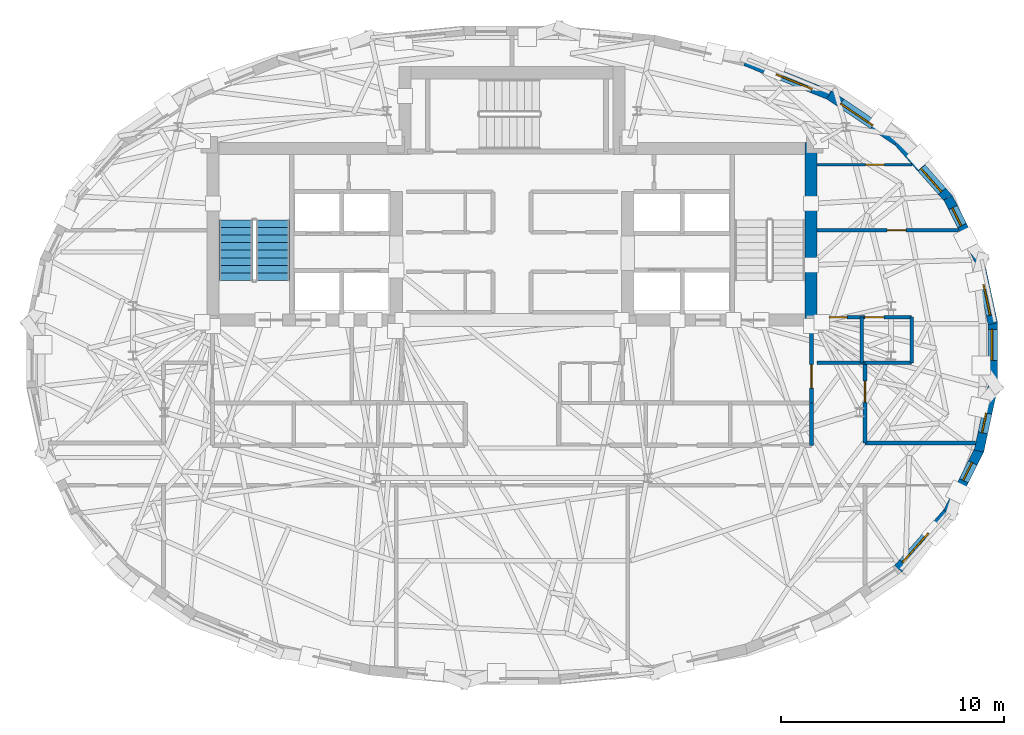
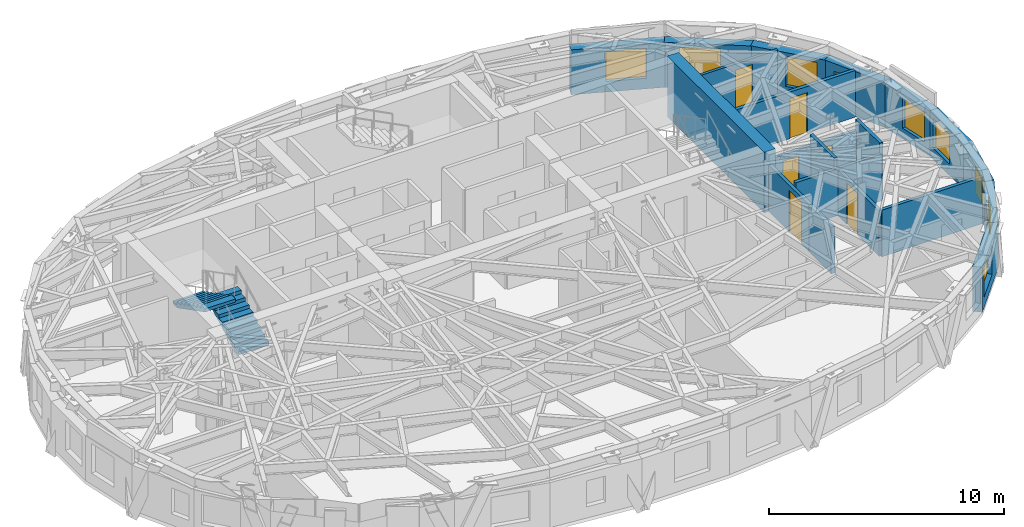
# One storey, part 9 of 13: 21 walls, 9 windows, 6 doors, 2 stair flights, 15 openings, 1 element without a shape of its own.
"""IFC4 building model written with IfcOpenShell, lengths in metres."""

import ifcopenshell
import ifcopenshell.guid

model = None  # the IFC model being written
_history = None  # IfcOwnerHistory: only IFC2X3 demands one
_inside = {}  # id of a spatial element -> (the spatial element, [elements in it])
_under = {}  # id of a project, library or spatial element -> (it, [spatial elements below it])
_declared = {}  # id of a project -> (the project, [libraries it declares])
_typed = {}  # id of a type object -> (the type object, [elements of that type])
_made_of = {}  # id of a material, layer set ... -> (it, [elements and type objects made of it])


def new_model(schema):
    """Start an empty IFC model of exactly this schema.

    Asked for "IFC4X3", IfcOpenShell would pick the latest addendum, in which some entities
    have other attributes; the version numbers below select the first issue.
    IFC2X3 requires an IfcOwnerHistory on every rooted entity: one is made here for all.
    """
    global model, _history
    if schema == "IFC4X3":
        model = ifcopenshell.file(schema_version=(4, 3, 0, 0))
    else:
        model = ifcopenshell.file(schema=schema)
    _inside.clear()
    _under.clear()
    _declared.clear()
    _typed.clear()
    _made_of.clear()
    _history = None
    if model.schema == "IFC2X3":
        org = make("IfcOrganization", Name="unknown")
        user = make(
            "IfcPersonAndOrganization",
            ThePerson=make("IfcPerson", FamilyName="unknown"),
            TheOrganization=org,
        )
        app = make(
            "IfcApplication",
            ApplicationDeveloper=org,
            Version="unknown",
            ApplicationFullName="unknown",
            ApplicationIdentifier="unknown",
        )
        _history = make(
            "IfcOwnerHistory",
            OwningUser=user,
            OwningApplication=app,
            ChangeAction="ADDED",
            CreationDate=0,
        )
    return model


def make(cls, **values):
    """One entity of the class cls with the attributes given. An attribute that is None is left unset."""
    return model.create_entity(
        cls, **{name: value for name, value in values.items() if value is not None}
    )


def rooted(cls, **values):
    """An entity with a GlobalId (a new one), such as an element, a storey or a relation."""
    return make(cls, GlobalId=ifcopenshell.guid.new(), OwnerHistory=_history, **values)


def si_unit(unit_type, name, prefix=None):
    """IfcSIUnit, for example si_unit("LENGTHUNIT", "METRE", prefix="MILLI")."""
    return make("IfcSIUnit", UnitType=unit_type, Prefix=prefix, Name=name)


def assignment(units):
    """IfcUnitAssignment: the units of a project."""
    return None if units is None else make("IfcUnitAssignment", Units=units)


def point(xyz):
    """IfcCartesianPoint."""
    return None if xyz is None else make("IfcCartesianPoint", Coordinates=xyz)


def direction(xyz):
    """IfcDirection."""
    return None if xyz is None else make("IfcDirection", DirectionRatios=xyz)


def frame(location, z_axis=None, x_axis=None):
    """IfcAxis2Placement3D, a coordinate frame: its origin and axes. An axis left out is left unset."""
    return make(
        "IfcAxis2Placement3D",
        Location=point(location),
        Axis=direction(z_axis),
        RefDirection=direction(x_axis),
    )


def frame_2d(location, x_axis=None):
    """IfcAxis2Placement2D, a coordinate frame in the plane: its origin and x axis."""
    return make(
        "IfcAxis2Placement2D", Location=point(location), RefDirection=direction(x_axis)
    )


def origin():
    """The frame at (0, 0, 0) with its axes left unset."""
    return frame((0.0, 0.0, 0.0))


def place(relative_to, where):
    """IfcLocalPlacement: puts the frame where relative to a parent placement (None: the world)."""
    return make(
        "IfcLocalPlacement", PlacementRelTo=relative_to, RelativePlacement=where
    )


def context(
    kind, dimensions, precision=None, world=None, true_north=None, identifier=None
):
    """IfcGeometricRepresentationContext, for example the 3D "Model" context."""
    return make(
        "IfcGeometricRepresentationContext",
        ContextIdentifier=identifier,
        ContextType=kind,
        CoordinateSpaceDimension=dimensions,
        Precision=precision,
        WorldCoordinateSystem=world,
        TrueNorth=true_north,
    )


def subcontext(parent, identifier, kind, view, scale=None):
    """IfcGeometricRepresentationSubContext, for example "Body" below "Model"."""
    return make(
        "IfcGeometricRepresentationSubContext",
        ContextIdentifier=identifier,
        ContextType=kind,
        ParentContext=parent,
        TargetScale=scale,
        TargetView=view,
    )


def project(units=None, contexts=None):
    """IfcProject with its units and contexts."""
    return rooted(
        "IfcProject",
        Name="project",
        RepresentationContexts=contexts,
        UnitsInContext=assignment(units),
    )


def spatial(cls, under=None, at=None, **own):
    """A site, building, storey or space (cls), placed at a placement, below another one or the project."""
    s = rooted(cls, ObjectPlacement=at, **own)
    if under is not None:
        _under.setdefault(under.id(), (under, []))[1].append(s)
    return s


def polyline(points):
    """IfcPolyline through the points."""
    return make("IfcPolyline", Points=[point(p) for p in points])


def profile(cls, at=None, kind="AREA", **sizes):
    """A parametric profile (cls). Its sizes go by their IFC names, for example OverallWidth=200.0."""
    return make(cls, ProfileType=kind, Position=at, **sizes)


def rectangle(**sizes):
    """IfcRectangleProfileDef."""
    return profile("IfcRectangleProfileDef", **sizes)


def outline(outer, holes=None, kind="AREA"):
    """IfcArbitraryClosedProfileDef: a profile drawn as a closed curve; with holes, ...WithVoids."""
    if holes is None:
        return make("IfcArbitraryClosedProfileDef", ProfileType=kind, OuterCurve=outer)
    return make(
        "IfcArbitraryProfileDefWithVoids",
        ProfileType=kind,
        OuterCurve=outer,
        InnerCurves=holes,
    )


def extrude(swept, where, along, depth):
    """IfcExtrudedAreaSolid: the profile swept, set in the frame where, extruded along a direction by depth."""
    return make(
        "IfcExtrudedAreaSolid",
        SweptArea=swept,
        Position=where,
        ExtrudedDirection=direction(along),
        Depth=depth,
    )


def shape(context_of_items, identifier, shape_type, items):
    """IfcShapeRepresentation: the items that make up one representation, for example the "Body"."""
    return make(
        "IfcShapeRepresentation",
        ContextOfItems=context_of_items,
        RepresentationIdentifier=identifier,
        RepresentationType=shape_type,
        Items=items,
    )


def material(Name=None, Category=None):
    """IfcMaterial."""
    return make("IfcMaterial", Name=Name, Category=Category)


def layer(
    of_material, thickness, ventilated=None, Name=None, Category=None, Priority=None
):
    """IfcMaterialLayer: one layer of a wall or slab, of a material (None: an air gap)."""
    return make(
        "IfcMaterialLayer",
        Material=of_material,
        LayerThickness=thickness,
        IsVentilated=ventilated,
        Name=Name,
        Category=Category,
        Priority=Priority,
    )


def layer_set(layers, Name=None):
    """IfcMaterialLayerSet."""
    return make("IfcMaterialLayerSet", MaterialLayers=layers, LayerSetName=Name)


def made_of(thing, what):
    """Note that an element or type object is made of a material, layer set ...; save() writes the relation."""
    if what is not None:
        _made_of.setdefault(what.id(), (what, []))[1].append(thing)
    return thing


def type_object(cls, material=None, **own):
    """A type object (cls), such as IfcWallType, which elements share."""
    return made_of(rooted(cls, **own), material)


def element(
    cls,
    number,
    at=None,
    inside=None,
    cuts=None,
    type_object=None,
    material=None,
    context=None,
    identifier="Body",
    shape_type=None,
    held_by="IfcProductDefinitionShape",
    body=None,
    shapes=None,
    **own,
):
    """One element of the class cls, such as IfcWall. Its Tag is "e" and its number.

    at: its placement. inside: the storey or other place that contains it. cuts: it is an
    opening in that element (IfcRelVoidsElement). A single representation is given by context,
    identifier, shape_type and body (its items); several are given by shapes. held_by: the class
    of the entity that holds the representations. save() writes the other relations.
    """
    e = rooted(cls, Tag="e%d" % number, ObjectPlacement=at, **own)
    if body is not None:
        shapes = [shape(context, identifier, shape_type, body)]
    if shapes is not None:
        e.Representation = make(held_by, Representations=shapes)
    if inside is not None:
        _inside.setdefault(inside.id(), (inside, []))[1].append(e)
    if cuts is not None:
        rooted(
            "IfcRelVoidsElement", RelatingBuildingElement=cuts, RelatedOpeningElement=e
        )
    if type_object is not None:
        _typed.setdefault(type_object.id(), (type_object, []))[1].append(e)
    return made_of(e, material)


def fill(opening, filler):
    """IfcRelFillsElement: the door or window that sits in an opening."""
    return rooted(
        "IfcRelFillsElement",
        RelatingOpeningElement=opening,
        RelatedBuildingElement=filler,
    )


def aggregate(whole, parts):
    """IfcRelAggregates: a whole, such as a stair, and the parts it consists of."""
    return rooted("IfcRelAggregates", RelatingObject=whole, RelatedObjects=parts)


def save(model, path):
    """Write the relations noted so far, then the file.

    IfcRelAggregates (storeys below a building ...), IfcRelContainedInSpatialStructure (elements
    in a storey), IfcRelDefinesByType, IfcRelAssociatesMaterial and IfcRelDeclares: one each for
    every whole, place, type object, material and project.
    """
    for whole, parts in _under.values():
        aggregate(whole, parts)
    for where, things in _inside.values():
        rooted(
            "IfcRelContainedInSpatialStructure",
            RelatedElements=things,
            RelatingStructure=where,
        )
    for kind, things in _typed.values():
        rooted("IfcRelDefinesByType", RelatedObjects=things, RelatingType=kind)
    for what, things in _made_of.values():
        rooted("IfcRelAssociatesMaterial", RelatedObjects=things, RelatingMaterial=what)
    for by, libraries in _declared.values():
        rooted("IfcRelDeclares", RelatingContext=by, RelatedDefinitions=libraries)
    model.write(path)


model = new_model("IFC4")

# Units and contexts
model_context = context("Model", 3, precision=1e-05, world=origin(), true_north=direction((0.0, 1.0)))
body_context = subcontext(model_context, "Body", "Model", "MODEL_VIEW")
ifc_project = project(units=[si_unit("LENGTHUNIT", "METRE"), si_unit("AREAUNIT", "SQUARE_METRE"), si_unit("VOLUMEUNIT", "CUBIC_METRE"), si_unit("PLANEANGLEUNIT", "RADIAN"), si_unit("MASSUNIT", "GRAM", prefix="KILO")], contexts=[model_context])

# Site, building, storey
site_placement = place(None, origin())
site = spatial("IfcSite", under=ifc_project, at=site_placement, CompositionType="ELEMENT")
building_placement = place(site_placement, origin())
building = spatial("IfcBuilding", under=site, at=building_placement, Name="Keldmark Tower", CompositionType="ELEMENT")
storey_placement = place(building_placement, frame((0.0, 0.0, 244.64990234375)))
storey = spatial("IfcBuildingStorey", under=building, at=storey_placement, Name="L69", CompositionType="ELEMENT", Elevation=244.64990234375)

# Walls
ifc_material_1 = material(Name="Heavy Acoustic Plumbing Chase Gypsum Assembly", Category="gypsum")
ifc_layer_1 = layer(ifc_material_1, 0.18994140625)
ifc_layer_set_1 = layer_set([ifc_layer_1], Name="Heavy Acoustic Plumbing Chase Gypsum Assembly")
wall_type_1 = type_object("IfcWallType", Name="Heavy Wet Wall 190 mm", PredefinedType="PLUMBINGWALL", material=ifc_layer_set_1)
wall_1_placement = place(storey_placement, frame((13.449951171875, -4.050048828125, 0.0), z_axis=(0.0, 0.0, 1.0), x_axis=(0.0, 1.0, 0.0)))
element("IfcWall", 1, at=wall_1_placement, inside=storey, type_object=wall_type_1, Name="L69 Heavy Wet Wall 190 mm SPK-E-E", PredefinedType="PLUMBINGWALL", context=body_context, shape_type="SweptSolid", body=[
    extrude(rectangle(XDim=1.900146484375, YDim=0.18994140625, at=frame_2d((0.9501953125, 0.0))), origin(), (0.0, 0.0, 1.0), 2.423095703125),
])
ifc_material_2 = material(Name="Concrete C50/60", Category="concrete")
ifc_layer_2 = layer(ifc_material_2, 0.550048828125)
ifc_layer_set_2 = layer_set([ifc_layer_2], Name="Concrete C50/60")
wall_type_2 = type_object("IfcWallType", Name="High-Rise Core Shear Wall 550 mm", PredefinedType="SHEAR", material=ifc_layer_set_2)
wall_2_placement = place(storey_placement, frame((13.425048828125, 1.300048828125, 0.0), z_axis=(0.0, 0.0, 1.0), x_axis=(0.0, 1.0, 0.0)))
element("IfcWall", 2, at=wall_2_placement, inside=storey, type_object=wall_type_2, Name="L69 East Core Outer Shear Wall", PredefinedType="SHEAR", context=body_context, shape_type="SweptSolid", body=[
    extrude(rectangle(XDim=8.25, YDim=0.550048828125, at=frame_2d((4.125, 0.0))), origin(), (0.0, 0.0, 1.0), 3.150146484375),
])

# Wall, opening, door
ifc_material_3 = material(Name="Acoustic Gypsum Board Interior Partition", Category="gypsum")
ifc_layer_3 = layer(ifc_material_3, 0.1298828125)
ifc_layer_set_3 = layer_set([ifc_layer_3], Name="Acoustic Gypsum Board Interior Partition")
wall_type_3 = type_object("IfcWallType", Name="Interior Partition 130 mm", PredefinedType="PARTITIONING", material=ifc_layer_set_3)
wall_3_placement = place(storey_placement, frame((13.699951171875, 8.550048828125, 0.0), z_axis=(0.0, 0.0, 1.0), x_axis=(1.0, 0.0, 0.0)))
wall_3 = element("IfcWall", 3, at=wall_3_placement, inside=storey, type_object=wall_type_3, Name="L69 Interior Partition 130 mm UA-NDIV2", PredefinedType="PARTITIONING", context=body_context, shape_type="SweptSolid", body=[
    extrude(rectangle(XDim=4.25830078125, YDim=0.1298828125, at=frame_2d((2.129150390625, 0.0))), origin(), (0.0, 0.0, 1.0), 2.423095703125),
])
opening_1_placement = place(wall_3_placement, frame((2.176025390625, 0.0, 0.0)))
opening_1 = element("IfcOpeningElement", 4, at=opening_1_placement, cuts=wall_3, Name="Opening D-IN085", PredefinedType="OPENING", context=body_context, shape_type="SweptSolid", body=[
    extrude(rectangle(XDim=0.85009765625, YDim=2.10009765625, at=frame_2d((0.425048828125, 1.050048828125))), frame((0.0, 0.074951171875, 0.0), z_axis=(0.0, -1.0, 0.0), x_axis=(1.0, 0.0, 0.0)), (0.0, 0.0, 1.0), 0.14990234375),
])
ifc_material_4 = material(Name="Painted Architectural Wood", Category="wood")
door_type_1 = type_object("IfcDoorType", Name="Interior Door 850x2100", OperationType="NOTDEFINED", PredefinedType="DOOR", material=ifc_material_4)
door_1_placement = place(opening_1_placement, origin())
door_1 = element("IfcDoor", 5, at=door_1_placement, inside=storey, type_object=door_type_1, Name="L69 Interior Door 850x2100 D-UA-BR2-L69", OperationType="SINGLE_SWING_RIGHT", OverallHeight=2.10009765625, OverallWidth=0.85009765625, PredefinedType="DOOR", context=body_context, shape_type="SweptSolid", body=[
    extrude(rectangle(XDim=0.85009765625, YDim=2.10009765625, at=frame_2d((0.425048828125, 1.050048828125))), frame((0.0, 0.02490234375, 0.0), z_axis=(0.0, -1.0, 0.0), x_axis=(1.0, 0.0, 0.0)), (0.0, 0.0, 1.0), 0.050048828125),
])
fill(opening_1, door_1)

ifc_material_5 = material(Name="Type X Fire-Rated Gypsum Partition Assembly", Category="gypsum")
ifc_layer_4 = layer(ifc_material_5, 0.1650390625)
ifc_layer_set_4 = layer_set([ifc_layer_4], Name="Type X Fire-Rated Gypsum Partition Assembly")
wall_type_4 = type_object("IfcWallType", Name="Rated Partition 165 mm", PredefinedType="PARTITIONING", material=ifc_layer_set_4)
wall_4_placement = place(storey_placement, frame((13.449951171875, -2.14990234375, 0.0), z_axis=(0.0, 0.0, 1.0), x_axis=(0.0, 1.0, 0.0)))
wall_4 = element("IfcWall", 6, at=wall_4_placement, inside=storey, type_object=wall_type_4, Name="L69 Rated Partition 165 mm FSAE-E-E", PredefinedType="PARTITIONING", context=body_context, shape_type="SweptSolid", body=[
    extrude(rectangle(XDim=3.5, YDim=0.1650390625, at=frame_2d((1.75, 0.0))), origin(), (0.0, 0.0, 1.0), 2.423095703125),
])
opening_2_placement = place(wall_4_placement, frame((0.669921875, 0.0, 0.0)))
opening_2 = element("IfcOpeningElement", 7, at=opening_2_placement, cuts=wall_4, Name="Opening D-FL105", PredefinedType="OPENING", context=body_context, shape_type="SweptSolid", body=[
    extrude(rectangle(XDim=1.050048828125, YDim=2.14990234375, at=frame_2d((0.52490234375, 1.074951171875))), frame((0.0, 0.092529296875, 0.0), z_axis=(0.0, -1.0, 0.0), x_axis=(1.0, 0.0, 0.0)), (0.0, 0.0, 1.0), 0.18505859375),
])
ifc_material_6 = material(Name="Fire-Rated Mineral-Core Door and Vision Lite", Category="metal")
door_type_2 = type_object("IfcDoorType", Name="Fire Lobby Door 1050x2150", OperationType="NOTDEFINED", PredefinedType="DOOR", material=ifc_material_6)
door_2_placement = place(opening_2_placement, origin())
door_2 = element("IfcDoor", 8, at=door_2_placement, inside=storey, type_object=door_type_2, Name="L69 Fire Lobby Door 1050x2150 D-FSAEE-OUT-L69", OperationType="SINGLE_SWING_RIGHT", OverallHeight=2.14990234375, OverallWidth=1.050048828125, PredefinedType="DOOR", context=body_context, shape_type="SweptSolid", body=[
    extrude(rectangle(XDim=1.050048828125, YDim=2.14990234375, at=frame_2d((0.52490234375, 1.074951171875))), frame((0.0, 0.02490234375, 0.0), z_axis=(0.0, -1.0, 0.0), x_axis=(1.0, 0.0, 0.0)), (0.0, 0.0, 1.0), 0.050048828125),
])
fill(opening_2, door_2)

# Wall
wall_5_placement = place(storey_placement, frame((15.85009765625, -3.949951171875, 0.0), z_axis=(0.0, 0.0, 1.0), x_axis=(1.0, 0.0, 0.0)))
element("IfcWall", 9, at=wall_5_placement, inside=storey, type_object=wall_type_4, Name="L69 Rated Partition 165 mm RCOR-EN-OUT", PredefinedType="PARTITIONING", context=body_context, shape_type="SweptSolid", body=[
    extrude(rectangle(XDim=4.9638671875, YDim=0.1650390625, at=frame_2d((2.48193359375, 0.0))), origin(), (0.0, 0.0, 1.0), 2.423095703125),
])

# Wall, opening, door
wall_6_placement = place(storey_placement, frame((15.85009765625, -3.949951171875, 0.0), z_axis=(0.0, 0.0, 1.0), x_axis=(0.0, 1.0, 0.0)))
wall_6 = element("IfcWall", 10, at=wall_6_placement, inside=storey, type_object=wall_type_4, Name="L69 Rated Partition 165 mm RCOR-VE", PredefinedType="PARTITIONING", context=body_context, shape_type="SweptSolid", body=[
    extrude(rectangle(XDim=3.599853515625, YDim=0.1650390625, at=frame_2d((1.7998046875, 0.0))), origin(), (0.0, 0.0, 1.0), 2.357177734375),
])
opening_3_placement = place(wall_6_placement, frame((1.830078125, 0.0, 0.0)))
opening_3 = element("IfcOpeningElement", 11, at=opening_3_placement, cuts=wall_6, Name="Opening D-AP095", PredefinedType="OPENING", context=body_context, shape_type="SweptSolid", body=[
    extrude(rectangle(XDim=0.949951171875, YDim=2.14990234375, at=frame_2d((0.47509765625, 1.074951171875))), frame((0.0, 0.092529296875, 0.0), z_axis=(0.0, -1.0, 0.0), x_axis=(1.0, 0.0, 0.0)), (0.0, 0.0, 1.0), 0.18505859375),
])
ifc_material_7 = material(Name="Solid-Core Walnut Fire-Rated Entry Assembly", Category="wood")
door_type_3 = type_object("IfcDoorType", Name="Apartment Entry Door 950x2150", OperationType="NOTDEFINED", PredefinedType="DOOR", material=ifc_material_7)
door_3_placement = place(opening_3_placement, origin())
door_3 = element("IfcDoor", 12, at=door_3_placement, inside=storey, type_object=door_type_3, Name="L69 Apartment Entry Door 950x2150 D-UA-ENT-L69", OperationType="SINGLE_SWING_RIGHT", OverallHeight=2.14990234375, OverallWidth=0.949951171875, PredefinedType="DOOR", context=body_context, shape_type="SweptSolid", body=[
    extrude(rectangle(XDim=0.949951171875, YDim=2.14990234375, at=frame_2d((0.47509765625, 1.074951171875))), frame((0.0, 0.02490234375, 0.0), z_axis=(0.0, -1.0, 0.0), x_axis=(1.0, 0.0, 0.0)), (0.0, 0.0, 1.0), 0.050048828125),
])
fill(opening_3, door_3)

# Wall
wall_7_placement = place(storey_placement, frame((13.699951171875, -0.35009765625, 0.0), z_axis=(0.0, 0.0, 1.0), x_axis=(1.0, 0.0, 0.0)))
element("IfcWall", 13, at=wall_7_placement, inside=storey, type_object=wall_type_4, Name="L69 Rated Partition 165 mm RCOR-VEN", PredefinedType="PARTITIONING", context=body_context, shape_type="SweptSolid", body=[
    extrude(rectangle(XDim=2.150146484375, YDim=0.1650390625, at=frame_2d((1.0751953125, 0.0))), origin(), (0.0, 0.0, 1.0), 2.423095703125),
])

# Wall, opening, door
wall_8_placement = place(storey_placement, frame((13.699951171875, 5.60009765625, 0.0), z_axis=(0.0, 0.0, 1.0), x_axis=(1.0, 0.0, 0.0)))
wall_8 = element("IfcWall", 14, at=wall_8_placement, inside=storey, type_object=wall_type_4, Name="L69 Rated Partition 165 mm RE-NDIV", PredefinedType="PARTITIONING", context=body_context, shape_type="SweptSolid", body=[
    extrude(rectangle(XDim=6.35986328125, YDim=0.1650390625, at=frame_2d((3.179931640625, 0.0))), origin(), (0.0, 0.0, 1.0), 2.423095703125),
])
opening_4_placement = place(wall_8_placement, frame((3.15087890625, 0.0, 0.0)))
opening_4 = element("IfcOpeningElement", 15, at=opening_4_placement, cuts=wall_8, Name="Opening D-BR085", PredefinedType="OPENING", context=body_context, shape_type="SweptSolid", body=[
    extrude(rectangle(XDim=0.85009765625, YDim=2.10009765625, at=frame_2d((0.425048828125, 1.050048828125))), frame((0.0, 0.092529296875, 0.0), z_axis=(0.0, -1.0, 0.0), x_axis=(1.0, 0.0, 0.0)), (0.0, 0.0, 1.0), 0.18505859375),
])
ifc_material_8 = material(Name="Solid-Core Stained Walnut Wood", Category="wood")
door_type_4 = type_object("IfcDoorType", Name="Bedroom Door 850x2100", OperationType="NOTDEFINED", PredefinedType="DOOR", material=ifc_material_8)
door_4_placement = place(opening_4_placement, origin())
door_4 = element("IfcDoor", 16, at=door_4_placement, inside=storey, type_object=door_type_4, Name="L69 Bedroom Door 850x2100 D-UA-BR1-L69", OperationType="SINGLE_SWING_LEFT", OverallHeight=2.10009765625, OverallWidth=0.85009765625, PredefinedType="DOOR", context=body_context, shape_type="SweptSolid", body=[
    extrude(rectangle(XDim=0.85009765625, YDim=2.10009765625, at=frame_2d((0.425048828125, 1.050048828125))), frame((0.0, 0.02490234375, 0.0), z_axis=(0.0, -1.0, 0.0), x_axis=(1.0, 0.0, 0.0)), (0.0, 0.0, 1.0), 0.050048828125),
])
fill(opening_4, door_4)

# Wall, opening, window
ifc_material_9 = material(Name="Ironspot Manganese Brick and Kasota Buff Limestone Spandrel Assembly", Category="masonry")
ifc_layer_5 = layer(ifc_material_9, 0.43994140625)
ifc_layer_set_5 = layer_set([ifc_layer_5], Name="Ironspot Manganese Brick and Kasota Buff Limestone Spandrel Assembly")
wall_type_5 = type_object("IfcWallType", Name="Tower Brick Pier and Spandrel Wall 440 mm", PredefinedType="STANDARD", material=ifc_layer_set_5)
wall_9_placement = place(storey_placement, frame((20.969482421875, 4.311279296875, 0.0), z_axis=(0.0, 0.0, 1.0), x_axis=(0.210540350534, -0.977585168053, 0.0)))
wall_9 = element("IfcWall", 17, at=wall_9_placement, inside=storey, type_object=wall_type_5, Name="L69 Exterior Brick and Spandrel Wall 01", PredefinedType="STANDARD", context=body_context, shape_type="SweptSolid", body=[
    extrude(rectangle(XDim=2.96728515625, YDim=0.43994140625, at=frame_2d((1.483642578125, 0.0))), origin(), (0.0, 0.0, 1.0), 2.336181640625),
])
opening_5_placement = place(wall_9_placement, frame((1.1728515625, 0.0, 0.550048828125)))
opening_5 = element("IfcOpeningElement", 18, at=opening_5_placement, cuts=wall_9, Name="Opening W-08", PredefinedType="OPENING", context=body_context, shape_type="SweptSolid", body=[
    extrude(rectangle(XDim=1.39990234375, YDim=1.550048828125, at=frame_2d((0.699951171875, 0.77490234375))), frame((0.0, 0.22998046875, 0.0), z_axis=(0.0, -1.0, 0.0), x_axis=(1.0, 0.0, 0.0)), (0.0, 0.0, 1.0), 0.4599609375),
])
ifc_material_10 = material(Name="Thermally Broken Anodized Aluminum and Triple Low-E Argon Glazing", Category="aluminium")
window_type_1 = type_object("IfcWindowType", Name="Residential Corner Punched Window 1400x1550", PartitioningType="SINGLE_PANEL", PredefinedType="WINDOW", material=ifc_material_10)
window_1_placement = place(opening_5_placement, origin())
window_1 = element("IfcWindow", 19, at=window_1_placement, inside=storey, type_object=window_type_1, Name="L69 Deep-Set Window 01", OverallHeight=1.550048828125, OverallWidth=1.39990234375, PartitioningType="SINGLE_PANEL", PredefinedType="WINDOW", context=body_context, shape_type="SweptSolid", body=[
    extrude(rectangle(XDim=1.39990234375, YDim=1.550048828125, at=frame_2d((0.699951171875, 0.77490234375))), frame((0.0, -0.010009765625, 0.0), z_axis=(0.0, -1.0, 0.0), x_axis=(1.0, 0.0, 0.0)), (0.0, 0.0, 1.0), 0.06005859375),
])
fill(opening_5, window_1)

wall_10_placement = place(storey_placement, frame((19.578125, 7.068603515625, 0.0), z_axis=(0.0, 0.0, 1.0), x_axis=(0.448424724145, -0.893820601002, 0.0)))
wall_10 = element("IfcWall", 20, at=wall_10_placement, inside=storey, type_object=wall_type_5, Name="L69 Exterior Brick and Spandrel Wall 02", PredefinedType="STANDARD", context=body_context, shape_type="SweptSolid", body=[
    extrude(rectangle(XDim=3.1435546875, YDim=0.43994140625, at=frame_2d((1.57177734375, 0.0))), origin(), (0.0, 0.0, 1.0), 2.336181640625),
])
opening_6_placement = place(wall_10_placement, frame((0.4990234375, 0.0, 0.580078125)))
opening_6 = element("IfcOpeningElement", 21, at=opening_6_placement, cuts=wall_10, Name="Opening W-09", PredefinedType="OPENING", context=body_context, shape_type="SweptSolid", body=[
    extrude(rectangle(XDim=0.89990234375, YDim=1.35009765625, at=frame_2d((0.449951171875, 0.675048828125))), frame((0.0, 0.22998046875, 0.0), z_axis=(0.0, -1.0, 0.0), x_axis=(1.0, 0.0, 0.0)), (0.0, 0.0, 1.0), 0.4599609375),
])
ifc_material_11 = material(Name="Thermally Broken Anodized Aluminum and Triple Low-E Argon Glazing", Category="aluminium")
window_type_2 = type_object("IfcWindowType", Name="Corner Pier Deep-Set Window 900x1350", PartitioningType="SINGLE_PANEL", PredefinedType="WINDOW", material=ifc_material_11)
window_2_placement = place(opening_6_placement, origin())
window_2 = element("IfcWindow", 22, at=window_2_placement, inside=storey, type_object=window_type_2, Name="L69 Deep-Set Window 02", OverallHeight=1.35009765625, OverallWidth=0.89990234375, PartitioningType="SINGLE_PANEL", PredefinedType="WINDOW", context=body_context, shape_type="SweptSolid", body=[
    extrude(rectangle(XDim=0.89990234375, YDim=1.35009765625, at=frame_2d((0.449951171875, 0.675048828125))), frame((0.0, -0.010009765625, 0.0), z_axis=(0.0, -1.0, 0.0), x_axis=(1.0, 0.0, 0.0)), (0.0, 0.0, 1.0), 0.06005859375),
])
fill(opening_6, window_2)

wall_11_placement = place(storey_placement, frame((17.33984375, 9.595947265625, 0.0), z_axis=(0.0, 0.0, 1.0), x_axis=(0.66136043846, -0.750068243855, 0.0)))
wall_11 = element("IfcWall", 23, at=wall_11_placement, inside=storey, type_object=wall_type_5, Name="L69 Exterior Brick and Spandrel Wall 03", PredefinedType="STANDARD", context=body_context, shape_type="SweptSolid", body=[
    extrude(rectangle(XDim=3.431884765625, YDim=0.43994140625, at=frame_2d((1.7158203125, 0.0))), origin(), (0.0, 0.0, 1.0), 2.336181640625),
])
opening_7_placement = place(wall_11_placement, frame((1.584716796875, 0.0, 0.580078125)))
opening_7 = element("IfcOpeningElement", 24, at=opening_7_placement, cuts=wall_11, Name="Opening W-08", PredefinedType="OPENING", context=body_context, shape_type="SweptSolid", body=[
    extrude(rectangle(XDim=1.39990234375, YDim=1.550048828125, at=frame_2d((0.699951171875, 0.77490234375))), frame((0.0, 0.22998046875, 0.0), z_axis=(0.0, -1.0, 0.0), x_axis=(1.0, 0.0, 0.0)), (0.0, 0.0, 1.0), 0.4599609375),
])
window_3_placement = place(opening_7_placement, origin())
window_3 = element("IfcWindow", 25, at=window_3_placement, inside=storey, type_object=window_type_1, Name="L69 Deep-Set Window 03", OverallHeight=1.550048828125, OverallWidth=1.39990234375, PartitioningType="SINGLE_PANEL", PredefinedType="WINDOW", context=body_context, shape_type="SweptSolid", body=[
    extrude(rectangle(XDim=1.39990234375, YDim=1.550048828125, at=frame_2d((0.699951171875, 0.77490234375))), frame((0.0, -0.010009765625, 0.0), z_axis=(0.0, -1.0, 0.0), x_axis=(1.0, 0.0, 0.0)), (0.0, 0.0, 1.0), 0.06005859375),
])
fill(opening_7, window_3)

wall_12_placement = place(storey_placement, frame((14.242431640625, 11.68798828125, 0.0), z_axis=(0.0, 0.0, 1.0), x_axis=(0.827637036896, -0.561263694851, 0.0)))
wall_12 = element("IfcWall", 26, at=wall_12_placement, inside=storey, type_object=wall_type_5, Name="L69 Exterior Brick and Spandrel Wall 04", PredefinedType="STANDARD", context=body_context, shape_type="SweptSolid", body=[
    extrude(rectangle(XDim=3.792724609375, YDim=0.43994140625, at=frame_2d((1.896484375, 0.0))), origin(), (0.0, 0.0, 1.0), 2.336181640625),
])
opening_8_placement = place(wall_12_placement, frame((0.64794921875, 0.0, 0.550048828125)))
opening_8 = element("IfcOpeningElement", 27, at=opening_8_placement, cuts=wall_12, Name="Opening W-05", PredefinedType="OPENING", context=body_context, shape_type="SweptSolid", body=[
    extrude(rectangle(XDim=1.75, YDim=1.550048828125, at=frame_2d((0.875, 0.77490234375))), frame((0.0, 0.22998046875, 0.0), z_axis=(0.0, -1.0, 0.0), x_axis=(1.0, 0.0, 0.0)), (0.0, 0.0, 1.0), 0.4599609375),
])
ifc_material_12 = material(Name="Thermally Broken Anodized Aluminum and Triple Low-E Argon Glazing", Category="aluminium")
window_type_3 = type_object("IfcWindowType", Name="Residential Deep-Set Window 1750x1550", PartitioningType="DOUBLE_PANEL_VERTICAL", PredefinedType="WINDOW", material=ifc_material_12)
window_4_placement = place(opening_8_placement, origin())
window_4 = element("IfcWindow", 28, at=window_4_placement, inside=storey, type_object=window_type_3, Name="L69 Deep-Set Window 04", OverallHeight=1.550048828125, OverallWidth=1.75, PartitioningType="SINGLE_PANEL", PredefinedType="WINDOW", context=body_context, shape_type="SweptSolid", body=[
    extrude(rectangle(XDim=1.75, YDim=1.550048828125, at=frame_2d((0.875, 0.77490234375))), frame((0.0, -0.010009765625, 0.0), z_axis=(0.0, -1.0, 0.0), x_axis=(1.0, 0.0, 0.0)), (0.0, 0.0, 1.0), 0.06005859375),
])
fill(opening_8, window_4)

wall_13_placement = place(storey_placement, frame((10.487060546875, 13.205078125, 0.0), z_axis=(0.0, 0.0, 1.0), x_axis=(0.926731976866, -0.375723093586, 0.0)))
wall_13 = element("IfcWall", 29, at=wall_13_placement, inside=storey, type_object=wall_type_5, Name="L69 Exterior Brick and Spandrel Wall 05", PredefinedType="STANDARD", context=body_context, shape_type="SweptSolid", body=[
    extrude(rectangle(XDim=4.09619140625, YDim=0.43994140625, at=frame_2d((2.048095703125, 0.0))), origin(), (0.0, 0.0, 1.0), 2.336181640625),
])
opening_9_placement = place(wall_13_placement, frame((1.49755859375, 0.0, 0.550048828125)))
opening_9 = element("IfcOpeningElement", 30, at=opening_9_placement, cuts=wall_13, Name="Opening W-05", PredefinedType="OPENING", context=body_context, shape_type="SweptSolid", body=[
    extrude(rectangle(XDim=1.75, YDim=1.550048828125, at=frame_2d((0.875, 0.77490234375))), frame((0.0, 0.22998046875, 0.0), z_axis=(0.0, -1.0, 0.0), x_axis=(1.0, 0.0, 0.0)), (0.0, 0.0, 1.0), 0.4599609375),
])
window_5_placement = place(opening_9_placement, origin())
window_5 = element("IfcWindow", 31, at=window_5_placement, inside=storey, type_object=window_type_3, Name="L69 Deep-Set Window 05", OverallHeight=1.550048828125, OverallWidth=1.75, PartitioningType="SINGLE_PANEL", PredefinedType="WINDOW", context=body_context, shape_type="SweptSolid", body=[
    extrude(rectangle(XDim=1.75, YDim=1.550048828125, at=frame_2d((0.875, 0.77490234375))), frame((0.0, -0.010009765625, 0.0), z_axis=(0.0, -1.0, 0.0), x_axis=(1.0, 0.0, 0.0)), (0.0, 0.0, 1.0), 0.06005859375),
])
fill(opening_9, window_5)

wall_14_placement = place(storey_placement, frame((19.609619140625, -7.021728515625, 0.0), z_axis=(0.0, 0.0, 1.0), x_axis=(-0.66136043846, -0.750068243855, 0.0)))
wall_14 = element("IfcWall", 32, at=wall_14_placement, inside=storey, type_object=wall_type_5, Name="L69 Exterior Brick and Spandrel Wall 29", PredefinedType="STANDARD", context=body_context, shape_type="SweptSolid", body=[
    extrude(rectangle(XDim=3.431884765625, YDim=0.43994140625, at=frame_2d((1.7158203125, 0.0))), origin(), (0.0, 0.0, 1.0), 2.336181640625),
])
opening_10_placement = place(wall_14_placement, frame((1.333984375, 0.0, 0.550048828125)))
opening_10 = element("IfcOpeningElement", 33, at=opening_10_placement, cuts=wall_14, Name="Opening W-05", PredefinedType="OPENING", context=body_context, shape_type="SweptSolid", body=[
    extrude(rectangle(XDim=1.75, YDim=1.550048828125, at=frame_2d((0.875, 0.77490234375))), frame((0.0, 0.22998046875, 0.0), z_axis=(0.0, -1.0, 0.0), x_axis=(1.0, 0.0, 0.0)), (0.0, 0.0, 1.0), 0.4599609375),
])
window_6_placement = place(opening_10_placement, origin())
window_6 = element("IfcWindow", 34, at=window_6_placement, inside=storey, type_object=window_type_3, Name="L69 Deep-Set Window 29", OverallHeight=1.550048828125, OverallWidth=1.75, PartitioningType="SINGLE_PANEL", PredefinedType="WINDOW", context=body_context, shape_type="SweptSolid", body=[
    extrude(rectangle(XDim=1.75, YDim=1.550048828125, at=frame_2d((0.875, 0.77490234375))), frame((0.0, -0.010009765625, 0.0), z_axis=(0.0, -1.0, 0.0), x_axis=(1.0, 0.0, 0.0)), (0.0, 0.0, 1.0), 0.06005859375),
])
fill(opening_10, window_6)

wall_15_placement = place(storey_placement, frame((20.98779296875, -4.2587890625, 0.0), z_axis=(0.0, 0.0, 1.0), x_axis=(-0.448424724145, -0.893820601002, 0.0)))
wall_15 = element("IfcWall", 35, at=wall_15_placement, inside=storey, type_object=wall_type_5, Name="L69 Exterior Brick and Spandrel Wall 30", PredefinedType="STANDARD", context=body_context, shape_type="SweptSolid", body=[
    extrude(rectangle(XDim=3.1435546875, YDim=0.43994140625, at=frame_2d((1.57177734375, 0.0))), origin(), (0.0, 0.0, 1.0), 2.336181640625),
])
opening_11_placement = place(wall_15_placement, frame((0.6484375, 0.0, 0.580078125)))
opening_11 = element("IfcOpeningElement", 36, at=opening_11_placement, cuts=wall_15, Name="Opening W-09", PredefinedType="OPENING", context=body_context, shape_type="SweptSolid", body=[
    extrude(rectangle(XDim=0.89990234375, YDim=1.35009765625, at=frame_2d((0.449951171875, 0.675048828125))), frame((0.0, 0.22998046875, 0.0), z_axis=(0.0, -1.0, 0.0), x_axis=(1.0, 0.0, 0.0)), (0.0, 0.0, 1.0), 0.4599609375),
])
window_7_placement = place(opening_11_placement, origin())
window_7 = element("IfcWindow", 37, at=window_7_placement, inside=storey, type_object=window_type_2, Name="L69 Deep-Set Window 30", OverallHeight=1.35009765625, OverallWidth=0.89990234375, PartitioningType="SINGLE_PANEL", PredefinedType="WINDOW", context=body_context, shape_type="SweptSolid", body=[
    extrude(rectangle(XDim=0.89990234375, YDim=1.35009765625, at=frame_2d((0.449951171875, 0.675048828125))), frame((0.0, -0.010009765625, 0.0), z_axis=(0.0, -1.0, 0.0), x_axis=(1.0, 0.0, 0.0)), (0.0, 0.0, 1.0), 0.06005859375),
])
fill(opening_11, window_7)

wall_16_placement = place(storey_placement, frame((21.59423828125, -1.410400390625, 0.0), z_axis=(0.0, 0.0, 1.0), x_axis=(-0.210540350534, -0.977585168053, 0.0)))
wall_16 = element("IfcWall", 38, at=wall_16_placement, inside=storey, type_object=wall_type_5, Name="L69 Exterior Brick and Spandrel Wall 31", PredefinedType="STANDARD", context=body_context, shape_type="SweptSolid", body=[
    extrude(rectangle(XDim=2.96728515625, YDim=0.43994140625, at=frame_2d((1.483642578125, 0.0))), origin(), (0.0, 0.0, 1.0), 2.336181640625),
])
opening_12_placement = place(wall_16_placement, frame((1.22998046875, 0.0, 0.580078125)))
opening_12 = element("IfcOpeningElement", 39, at=opening_12_placement, cuts=wall_16, Name="Opening W-09", PredefinedType="OPENING", context=body_context, shape_type="SweptSolid", body=[
    extrude(rectangle(XDim=0.89990234375, YDim=1.35009765625, at=frame_2d((0.449951171875, 0.675048828125))), frame((0.0, 0.22998046875, 0.0), z_axis=(0.0, -1.0, 0.0), x_axis=(1.0, 0.0, 0.0)), (0.0, 0.0, 1.0), 0.4599609375),
])
window_8_placement = place(opening_12_placement, origin())
window_8 = element("IfcWindow", 40, at=window_8_placement, inside=storey, type_object=window_type_2, Name="L69 Deep-Set Window 31", OverallHeight=1.35009765625, OverallWidth=0.89990234375, PartitioningType="SINGLE_PANEL", PredefinedType="WINDOW", context=body_context, shape_type="SweptSolid", body=[
    extrude(rectangle(XDim=0.89990234375, YDim=1.35009765625, at=frame_2d((0.449951171875, 0.675048828125))), frame((0.0, -0.010009765625, 0.0), z_axis=(0.0, -1.0, 0.0), x_axis=(1.0, 0.0, 0.0)), (0.0, 0.0, 1.0), 0.06005859375),
])
fill(opening_12, window_8)

wall_17_placement = place(storey_placement, frame((21.58935546875, 1.45654296875, 0.0), z_axis=(0.0, 0.0, 1.0), x_axis=(0.0, -1.0, 0.0)))
wall_17 = element("IfcWall", 41, at=wall_17_placement, inside=storey, type_object=wall_type_5, Name="L69 Exterior Brick and Spandrel Wall 32", PredefinedType="STANDARD", context=body_context, shape_type="SweptSolid", body=[
    extrude(rectangle(XDim=2.9130859375, YDim=0.43994140625, at=frame_2d((1.45654296875, 0.0))), origin(), (0.0, 0.0, 1.0), 2.340087890625),
])
opening_13_placement = place(wall_17_placement, frame((0.296875, 0.0, 0.580078125)))
opening_13 = element("IfcOpeningElement", 42, at=opening_13_placement, cuts=wall_17, Name="Opening W-08", PredefinedType="OPENING", context=body_context, shape_type="SweptSolid", body=[
    extrude(rectangle(XDim=1.39990234375, YDim=1.550048828125, at=frame_2d((0.699951171875, 0.77490234375))), frame((0.0, 0.22998046875, 0.0), z_axis=(0.0, -1.0, 0.0), x_axis=(1.0, 0.0, 0.0)), (0.0, 0.0, 1.0), 0.4599609375),
])
window_9_placement = place(opening_13_placement, origin())
window_9 = element("IfcWindow", 43, at=window_9_placement, inside=storey, type_object=window_type_1, Name="L69 Deep-Set Window 32", OverallHeight=1.550048828125, OverallWidth=1.39990234375, PartitioningType="SINGLE_PANEL", PredefinedType="WINDOW", context=body_context, shape_type="SweptSolid", body=[
    extrude(rectangle(XDim=1.39990234375, YDim=1.550048828125, at=frame_2d((0.699951171875, 0.77490234375))), frame((0.0, -0.010009765625, 0.0), z_axis=(0.0, -1.0, 0.0), x_axis=(1.0, 0.0, 0.0)), (0.0, 0.0, 1.0), 0.06005859375),
])
fill(opening_13, window_9)

# Wall, openings, doors
ifc_material_13 = material(Name="Moisture-Resistant Gypsum Plumbing Partition", Category="gypsum")
ifc_layer_6 = layer(ifc_material_13, 0.14990234375)
ifc_layer_set_6 = layer_set([ifc_layer_6], Name="Moisture-Resistant Gypsum Plumbing Partition")
wall_type_6 = type_object("IfcWallType", Name="Wet Wall 150 mm", PredefinedType="PLUMBINGWALL", material=ifc_layer_set_6)
wall_18_placement = place(storey_placement, frame((13.699951171875, 1.699951171875, 0.0), z_axis=(0.0, 0.0, 1.0), x_axis=(1.0, 0.0, 0.0)))
wall_18 = element("IfcWall", 44, at=wall_18_placement, inside=storey, type_object=wall_type_6, Name="L69 Wet Wall 150 mm UA-BK-N", PredefinedType="PLUMBINGWALL", context=body_context, shape_type="SweptSolid", body=[
    extrude(rectangle(XDim=4.25, YDim=0.14990234375, at=frame_2d((2.125, 0.0))), origin(), (0.0, 0.0, 1.0), 2.423095703125),
])
opening_14_placement = place(wall_18_placement, frame((0.550048828125, 0.0, 0.0)))
opening_14 = element("IfcOpeningElement", 45, at=opening_14_placement, cuts=wall_18, Name="Opening D-BT080", PredefinedType="OPENING", context=body_context, shape_type="SweptSolid", body=[
    extrude(rectangle(XDim=0.800048828125, YDim=2.10009765625, at=frame_2d((0.39990234375, 1.050048828125))), frame((0.0, 0.0849609375, 0.0), z_axis=(0.0, -1.0, 0.0), x_axis=(1.0, 0.0, 0.0)), (0.0, 0.0, 1.0), 0.169921875),
])
opening_15_placement = place(wall_18_placement, frame((2.14990234375, 0.0, 0.0)))
opening_15 = element("IfcOpeningElement", 46, at=opening_15_placement, cuts=wall_18, Name="Opening D-IN085", PredefinedType="OPENING", context=body_context, shape_type="SweptSolid", body=[
    extrude(rectangle(XDim=0.85009765625, YDim=2.10009765625, at=frame_2d((0.425048828125, 1.050048828125))), frame((0.0, 0.0849609375, 0.0), z_axis=(0.0, -1.0, 0.0), x_axis=(1.0, 0.0, 0.0)), (0.0, 0.0, 1.0), 0.169921875),
])
ifc_material_14 = material(Name="Moisture-Sealed Stained Wood", Category="wood")
door_type_5 = type_object("IfcDoorType", Name="Bathroom Door 800x2100", OperationType="NOTDEFINED", PredefinedType="DOOR", material=ifc_material_14)
door_5_placement = place(opening_14_placement, origin())
door_5 = element("IfcDoor", 47, at=door_5_placement, inside=storey, type_object=door_type_5, Name="L69 Bathroom Door 800x2100 D-UA-BATH-L69", OperationType="SINGLE_SWING_RIGHT", OverallHeight=2.10009765625, OverallWidth=0.800048828125, PredefinedType="DOOR", context=body_context, shape_type="SweptSolid", body=[
    extrude(rectangle(XDim=0.800048828125, YDim=2.10009765625, at=frame_2d((0.39990234375, 1.050048828125))), frame((0.0, 0.02490234375, 0.0), z_axis=(0.0, -1.0, 0.0), x_axis=(1.0, 0.0, 0.0)), (0.0, 0.0, 1.0), 0.050048828125),
])
fill(opening_14, door_5)
door_6_placement = place(opening_15_placement, origin())
door_6 = element("IfcDoor", 48, at=door_6_placement, inside=storey, type_object=door_type_1, Name="L69 Interior Door 850x2100 D-UA-KIT-L69", OperationType="SINGLE_SWING_LEFT", OverallHeight=2.10009765625, OverallWidth=0.85009765625, PredefinedType="DOOR", context=body_context, shape_type="SweptSolid", body=[
    extrude(rectangle(XDim=0.85009765625, YDim=2.10009765625, at=frame_2d((0.425048828125, 1.050048828125))), frame((0.0, 0.02490234375, 0.0), z_axis=(0.0, -1.0, 0.0), x_axis=(1.0, 0.0, 0.0)), (0.0, 0.0, 1.0), 0.050048828125),
])
fill(opening_15, door_6)

# Walls
wall_19_placement = place(storey_placement, frame((15.85009765625, -0.35009765625, 0.0), z_axis=(0.0, 0.0, 1.0), x_axis=(1.0, 0.0, 0.0)))
element("IfcWall", 49, at=wall_19_placement, inside=storey, type_object=wall_type_6, Name="L69 Wet Wall 150 mm UA-BK-S", PredefinedType="PLUMBINGWALL", context=body_context, shape_type="SweptSolid", body=[
    extrude(rectangle(XDim=2.099853515625, YDim=0.14990234375, at=frame_2d((1.0498046875, 0.0))), origin(), (0.0, 0.0, 1.0), 2.423095703125),
])
for number, where, z_axis, x_axis, name in (
    (50, (15.699951171875, -0.35009765625, 0.0), (0.0, 0.0, 1.0), (0.0, 1.0, 0.0), "L69 Wet Wall 150 mm UA-BK-M"),
    (51, (17.949951171875, -0.35009765625, 0.0), (0.0, 0.0, 1.0), (0.0, 1.0, 0.0), "L69 Wet Wall 150 mm UA-BK-OUT"),
):
    element("IfcWall", number, at=place(storey_placement, frame(where, z_axis=z_axis, x_axis=x_axis)), inside=storey, type_object=wall_type_6, Name=name, PredefinedType="PLUMBINGWALL", context=body_context, shape_type="SweptSolid", body=[
        extrude(rectangle(XDim=2.050048828125, YDim=0.14990234375, at=frame_2d((1.02490234375, 0.0))), origin(), (0.0, 0.0, 1.0), 2.97021484375),
    ])

# Stair, stair flights
ifc_material_15 = material(Name="Concrete C40/50", Category="concrete")
stair_type = type_object("IfcStairType", Name="Precast Concrete Core Exit Stair", PredefinedType="HALF_TURN_STAIR", material=ifc_material_15)
stair_placement = place(storey_placement, origin())
stair = element("IfcStair", 52, at=stair_placement, inside=storey, type_object=stair_type, Name="L69 Exit Stair ST1", PredefinedType="HALF_TURN_STAIR")
ifc_material_16 = material(Name="Concrete C40/50", Category="concrete")
stair_flight_type = type_object("IfcStairFlightType", Name="Precast Concrete Stair Flight 1500 mm", PredefinedType="STRAIGHT", material=ifc_material_16)
stair_flight_1_placement = place(storey_placement, frame((-10.75, 3.35009765625, 0.0), z_axis=(0.0, 0.0, 1.0), x_axis=(0.0, 1.0, 0.0)))
stair_flight_1 = element("IfcStairFlight", 53, at=stair_flight_1_placement, type_object=stair_flight_type, Name="ST1 flight 1", NumberOfRisers=9, NumberOfTreads=8, PredefinedType="STRAIGHT", RiserHeight=0.175, TreadLength=0.34, context=body_context, shape_type="SweptSolid", body=[
    extrude(outline(polyline([(0.0, 0.0), (0.0, 0.175048828125), (0.340087890625, 0.175048828125), (0.340087890625, 0.35009765625), (0.679931640625, 0.35009765625), (0.679931640625, 0.52490234375), (1.02001953125, 0.52490234375), (1.02001953125, 0.699951171875), (1.360107421875, 0.699951171875), (1.360107421875, 0.875), (1.699951171875, 0.875), (1.699951171875, 1.050048828125), (2.0400390625, 1.050048828125), (2.0400390625, 1.22509765625), (2.3798828125, 1.22509765625), (2.3798828125, 1.39990234375), (2.719970703125, 1.39990234375), (2.719970703125, 1.574951171875), (2.719970703125, 1.2314453125), (0.32763671875, 0.0), (0.0, 0.0)])), frame((0.0, 0.75, 0.0), z_axis=(0.0, -1.0, 0.0), x_axis=(1.0, 0.0, 0.0)), (0.0, 0.0, 1.0), 1.5),
])
stair_flight_2_placement = place(storey_placement, frame((-12.39990234375, 6.070068359375, 1.5751953125), z_axis=(0.0, 0.0, 1.0), x_axis=(0.0, -1.0, 0.0)))
stair_flight_2 = element("IfcStairFlight", 54, at=stair_flight_2_placement, type_object=stair_flight_type, Name="ST1 flight 2", NumberOfRisers=9, NumberOfTreads=8, PredefinedType="STRAIGHT", RiserHeight=0.175, TreadLength=0.34, context=body_context, shape_type="SweptSolid", body=[
    extrude(outline(polyline([(0.0, 0.0), (0.0, 0.175048828125), (0.340087890625, 0.175048828125), (0.340087890625, 0.35009765625), (0.679931640625, 0.35009765625), (0.679931640625, 0.52490234375), (1.02001953125, 0.52490234375), (1.02001953125, 0.699951171875), (1.360107421875, 0.699951171875), (1.360107421875, 0.875), (1.699951171875, 0.875), (1.699951171875, 1.050048828125), (2.0400390625, 1.050048828125), (2.0400390625, 1.22509765625), (2.3798828125, 1.22509765625), (2.3798828125, 1.39990234375), (2.719970703125, 1.39990234375), (2.719970703125, 1.574951171875), (2.719970703125, 1.2314453125), (0.32763671875, 0.0), (0.0, 0.0)])), frame((0.0, 0.75, 0.0), z_axis=(0.0, -1.0, 0.0), x_axis=(1.0, 0.0, 0.0)), (0.0, 0.0, 1.0), 1.5),
])
aggregate(stair, [stair_flight_1, stair_flight_2])

save(model, "model.ifc")
